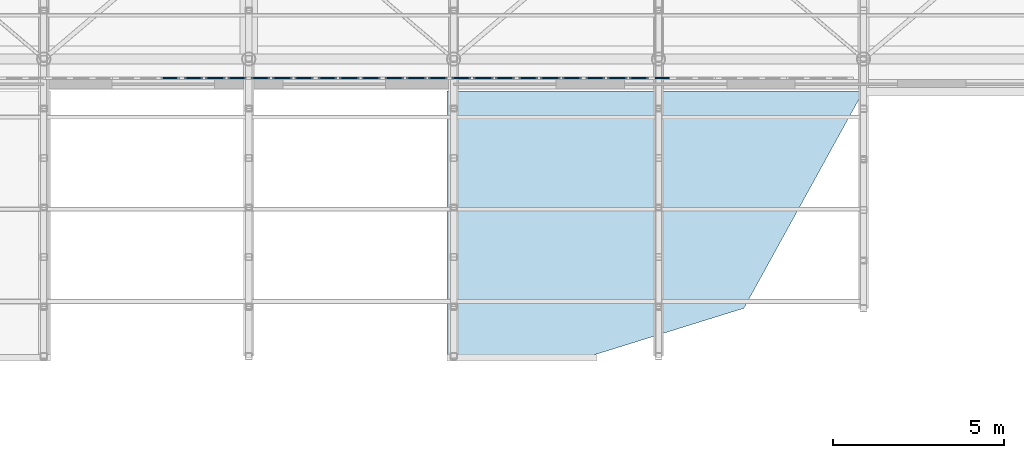
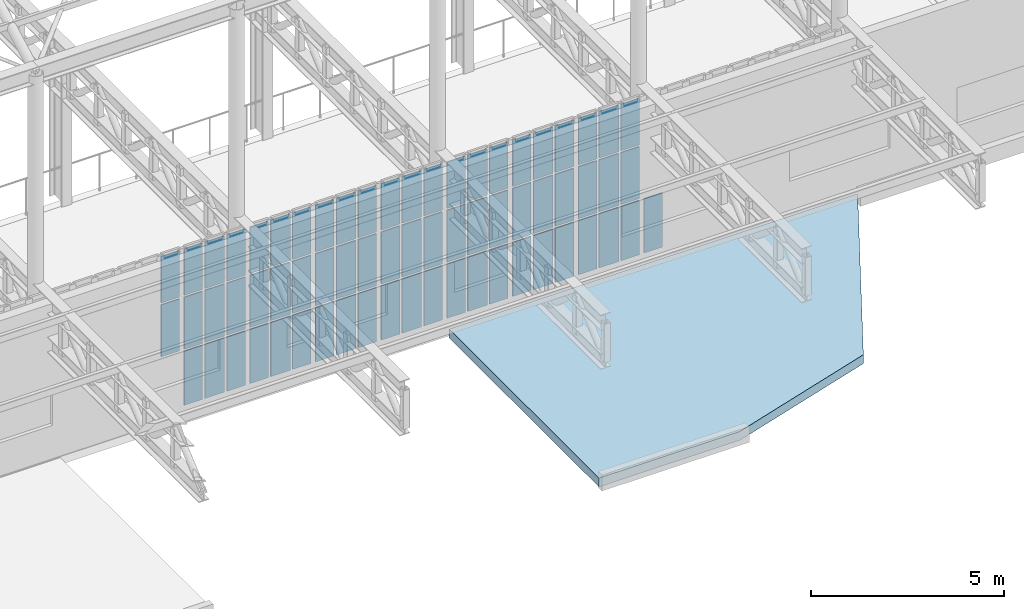
# One storey, part 55 of 75: 66 plates, 1 slab, 9 elements without a shape of their own.
"""IFC4 building model written with IfcOpenShell, lengths in metres."""

from ifc_helpers import new_model, si_unit, direction, frame, origin, origin_2d, place, context, subcontext, project, spatial, polyline, rectangle, outline, extrude, material, layer, layer_set, type_object, element, aggregate, save


model = new_model("IFC4")

# Units and contexts
model_context = context("Model", 3, precision=1e-05, world=origin(), true_north=direction((0.0, 1.0)))
body_context = subcontext(model_context, "Body", "Model", "MODEL_VIEW")
ifc_project = project(units=[si_unit("LENGTHUNIT", "METRE"), si_unit("AREAUNIT", "SQUARE_METRE"), si_unit("VOLUMEUNIT", "CUBIC_METRE"), si_unit("PLANEANGLEUNIT", "RADIAN"), si_unit("MASSUNIT", "GRAM", prefix="KILO")], contexts=[model_context])

# Site, building, storey
site_placement = place(None, origin())
site = spatial("IfcSite", under=ifc_project, at=site_placement, CompositionType="ELEMENT")
building_placement = place(site_placement, origin())
building = spatial("IfcBuilding", under=site, at=building_placement, Name="Kolvaren Corner Interchange", CompositionType="ELEMENT")
storey_placement = place(building_placement, frame((0.0, 0.0, 10.5)))
storey = spatial("IfcBuildingStorey", under=building, at=storey_placement, Name="L03", CompositionType="ELEMENT", Elevation=10.5)

# Curtain wall, plates
ifc_material_1 = material(Name="Unitised Aluminium and Solar-Control Glass Curtain Wall", Category="aluminium")
curtain_wall_type = type_object("IfcCurtainWallType", Name="CW-V1-UPPER", PredefinedType="NOTDEFINED", material=ifc_material_1)
curtain_wall_1_placement = place(storey_placement, origin())
curtain_wall_1 = element("IfcCurtainWall", 1, at=curtain_wall_1_placement, inside=storey, type_object=curtain_wall_type, Name="South Portal Upper Curtain Wall Bay 08", PredefinedType="NOTDEFINED")
ifc_material_2 = material(Name="Low-E Solar-Control Laminated Glass", Category="glass")
ifc_layer_1 = layer(ifc_material_2, 0.035888671875)
ifc_layer_set_1 = layer_set([ifc_layer_1], Name="Low-E Solar-Control Laminated Glass")
plate_type = type_object("IfcPlateType", Name="PLT-CW-GL32", PredefinedType="CURTAIN_PANEL", material=ifc_layer_set_1)
plate_1_placement = place(storey_placement, frame((87.694580078125, 24.340087890625, 1.830078125), z_axis=(0.0, 0.0, 1.0), x_axis=(1.0, 0.0, 0.0)))
plate_1 = element("IfcPlate", 2, at=plate_1_placement, type_object=plate_type, Name="CW-044 panel 3.2", PredefinedType="CURTAIN_PANEL", context=body_context, shape_type="SweptSolid", body=[
    extrude(rectangle(XDim=0.548583984375, YDim=0.035888671875, at=origin_2d()), origin(), (0.0, 0.0, 1.0), 1.639892578125),
])
plate_2_placement = place(storey_placement, frame((87.694580078125, 24.340087890625, 3.530029296875), z_axis=(0.0, 0.0, 1.0), x_axis=(1.0, 0.0, 0.0)))
plate_2 = element("IfcPlate", 3, at=plate_2_placement, type_object=plate_type, Name="CW-044 panel 3.3", PredefinedType="CURTAIN_PANEL", context=body_context, shape_type="SweptSolid", body=[
    extrude(rectangle(XDim=0.548583984375, YDim=0.035888671875, at=origin_2d()), origin(), (0.0, 0.0, 1.0), 1.4599609375),
])
aggregate(curtain_wall_1, [plate_1, plate_2])

curtain_wall_2_placement = place(storey_placement, origin())
curtain_wall_2 = element("IfcCurtainWall", 4, at=curtain_wall_2_placement, inside=storey, type_object=curtain_wall_type, Name="South Portal Upper Curtain Wall Bay 09", PredefinedType="NOTDEFINED")
plate_3_placement = place(storey_placement, frame((88.38330078125, 24.340087890625, 0.06005859375), z_axis=(0.0, 0.0, 1.0), x_axis=(1.0, 0.0, 0.0)))
plate_3 = element("IfcPlate", 5, at=plate_3_placement, type_object=plate_type, Name="CW-045 panel 1.1", PredefinedType="CURTAIN_PANEL", context=body_context, shape_type="SweptSolid", body=[
    extrude(rectangle(XDim=0.548583984375, YDim=0.035888671875, at=origin_2d()), origin(), (0.0, 0.0, 1.0), 1.7099609375),
])
plate_4_placement = place(storey_placement, frame((88.38330078125, 24.340087890625, 1.830078125), z_axis=(0.0, 0.0, 1.0), x_axis=(1.0, 0.0, 0.0)))
plate_4 = element("IfcPlate", 6, at=plate_4_placement, type_object=plate_type, Name="CW-045 panel 1.2", PredefinedType="CURTAIN_PANEL", context=body_context, shape_type="SweptSolid", body=[
    extrude(rectangle(XDim=0.548583984375, YDim=0.035888671875, at=origin_2d()), origin(), (0.0, 0.0, 1.0), 1.639892578125),
])
plate_5_placement = place(storey_placement, frame((88.38330078125, 24.340087890625, 3.530029296875), z_axis=(0.0, 0.0, 1.0), x_axis=(1.0, 0.0, 0.0)))
plate_5 = element("IfcPlate", 7, at=plate_5_placement, type_object=plate_type, Name="CW-045 panel 1.3", PredefinedType="CURTAIN_PANEL", context=body_context, shape_type="SweptSolid", body=[
    extrude(rectangle(XDim=0.548583984375, YDim=0.035888671875, at=origin_2d()), origin(), (0.0, 0.0, 1.0), 1.4599609375),
])
plate_6_placement = place(storey_placement, frame((89.01953125, 24.340087890625, 0.06005859375), z_axis=(0.0, 0.0, 1.0), x_axis=(1.0, 0.0, 0.0)))
plate_6 = element("IfcPlate", 8, at=plate_6_placement, type_object=plate_type, Name="CW-045 panel 2.1", PredefinedType="CURTAIN_PANEL", context=body_context, shape_type="SweptSolid", body=[
    extrude(rectangle(XDim=0.583740234375, YDim=0.035888671875, at=origin_2d()), origin(), (0.0, 0.0, 1.0), 1.7099609375),
])
plate_7_placement = place(storey_placement, frame((89.01953125, 24.340087890625, 1.830078125), z_axis=(0.0, 0.0, 1.0), x_axis=(1.0, 0.0, 0.0)))
plate_7 = element("IfcPlate", 9, at=plate_7_placement, type_object=plate_type, Name="CW-045 panel 2.2", PredefinedType="CURTAIN_PANEL", context=body_context, shape_type="SweptSolid", body=[
    extrude(rectangle(XDim=0.583740234375, YDim=0.035888671875, at=origin_2d()), origin(), (0.0, 0.0, 1.0), 1.639892578125),
])
plate_8_placement = place(storey_placement, frame((89.01953125, 24.340087890625, 3.530029296875), z_axis=(0.0, 0.0, 1.0), x_axis=(1.0, 0.0, 0.0)))
plate_8 = element("IfcPlate", 10, at=plate_8_placement, type_object=plate_type, Name="CW-045 panel 2.3", PredefinedType="CURTAIN_PANEL", context=body_context, shape_type="SweptSolid", body=[
    extrude(rectangle(XDim=0.583740234375, YDim=0.035888671875, at=origin_2d()), origin(), (0.0, 0.0, 1.0), 1.4599609375),
])
plate_9_placement = place(storey_placement, frame((89.65576171875, 24.340087890625, 0.06005859375), z_axis=(0.0, 0.0, 1.0), x_axis=(1.0, 0.0, 0.0)))
plate_9 = element("IfcPlate", 11, at=plate_9_placement, type_object=plate_type, Name="CW-045 panel 3.1", PredefinedType="CURTAIN_PANEL", context=body_context, shape_type="SweptSolid", body=[
    extrude(rectangle(XDim=0.548583984375, YDim=0.035888671875, at=origin_2d()), origin(), (0.0, 0.0, 1.0), 1.7099609375),
])
plate_10_placement = place(storey_placement, frame((89.65576171875, 24.340087890625, 1.830078125), z_axis=(0.0, 0.0, 1.0), x_axis=(1.0, 0.0, 0.0)))
plate_10 = element("IfcPlate", 12, at=plate_10_placement, type_object=plate_type, Name="CW-045 panel 3.2", PredefinedType="CURTAIN_PANEL", context=body_context, shape_type="SweptSolid", body=[
    extrude(rectangle(XDim=0.548583984375, YDim=0.035888671875, at=origin_2d()), origin(), (0.0, 0.0, 1.0), 1.639892578125),
])
plate_11_placement = place(storey_placement, frame((89.65576171875, 24.340087890625, 3.530029296875), z_axis=(0.0, 0.0, 1.0), x_axis=(1.0, 0.0, 0.0)))
plate_11 = element("IfcPlate", 13, at=plate_11_placement, type_object=plate_type, Name="CW-045 panel 3.3", PredefinedType="CURTAIN_PANEL", context=body_context, shape_type="SweptSolid", body=[
    extrude(rectangle(XDim=0.548583984375, YDim=0.035888671875, at=origin_2d()), origin(), (0.0, 0.0, 1.0), 1.4599609375),
])
aggregate(curtain_wall_2, [plate_3, plate_4, plate_5, plate_6, plate_7, plate_8, plate_9, plate_10, plate_11])

curtain_wall_3_placement = place(storey_placement, origin())
curtain_wall_3 = element("IfcCurtainWall", 14, at=curtain_wall_3_placement, inside=storey, type_object=curtain_wall_type, Name="South Portal Upper Curtain Wall Bay 10", PredefinedType="NOTDEFINED")
plate_12_placement = place(storey_placement, frame((90.34423828125, 24.340087890625, 0.06005859375), z_axis=(0.0, 0.0, 1.0), x_axis=(1.0, 0.0, 0.0)))
plate_12 = element("IfcPlate", 15, at=plate_12_placement, type_object=plate_type, Name="CW-046 panel 1.1", PredefinedType="CURTAIN_PANEL", context=body_context, shape_type="SweptSolid", body=[
    extrude(rectangle(XDim=0.548583984375, YDim=0.035888671875, at=origin_2d()), origin(), (0.0, 0.0, 1.0), 1.7099609375),
])
plate_13_placement = place(storey_placement, frame((90.34423828125, 24.340087890625, 1.830078125), z_axis=(0.0, 0.0, 1.0), x_axis=(1.0, 0.0, 0.0)))
plate_13 = element("IfcPlate", 16, at=plate_13_placement, type_object=plate_type, Name="CW-046 panel 1.2", PredefinedType="CURTAIN_PANEL", context=body_context, shape_type="SweptSolid", body=[
    extrude(rectangle(XDim=0.548583984375, YDim=0.035888671875, at=origin_2d()), origin(), (0.0, 0.0, 1.0), 1.639892578125),
])
plate_14_placement = place(storey_placement, frame((90.34423828125, 24.340087890625, 3.530029296875), z_axis=(0.0, 0.0, 1.0), x_axis=(1.0, 0.0, 0.0)))
plate_14 = element("IfcPlate", 17, at=plate_14_placement, type_object=plate_type, Name="CW-046 panel 1.3", PredefinedType="CURTAIN_PANEL", context=body_context, shape_type="SweptSolid", body=[
    extrude(rectangle(XDim=0.548583984375, YDim=0.035888671875, at=origin_2d()), origin(), (0.0, 0.0, 1.0), 1.4599609375),
])
plate_15_placement = place(storey_placement, frame((90.98046875, 24.340087890625, 0.06005859375), z_axis=(0.0, 0.0, 1.0), x_axis=(1.0, 0.0, 0.0)))
plate_15 = element("IfcPlate", 18, at=plate_15_placement, type_object=plate_type, Name="CW-046 panel 2.1", PredefinedType="CURTAIN_PANEL", context=body_context, shape_type="SweptSolid", body=[
    extrude(rectangle(XDim=0.583740234375, YDim=0.035888671875, at=origin_2d()), origin(), (0.0, 0.0, 1.0), 1.7099609375),
])
plate_16_placement = place(storey_placement, frame((90.98046875, 24.340087890625, 1.830078125), z_axis=(0.0, 0.0, 1.0), x_axis=(1.0, 0.0, 0.0)))
plate_16 = element("IfcPlate", 19, at=plate_16_placement, type_object=plate_type, Name="CW-046 panel 2.2", PredefinedType="CURTAIN_PANEL", context=body_context, shape_type="SweptSolid", body=[
    extrude(rectangle(XDim=0.583740234375, YDim=0.035888671875, at=origin_2d()), origin(), (0.0, 0.0, 1.0), 1.639892578125),
])
plate_17_placement = place(storey_placement, frame((90.98046875, 24.340087890625, 3.530029296875), z_axis=(0.0, 0.0, 1.0), x_axis=(1.0, 0.0, 0.0)))
plate_17 = element("IfcPlate", 20, at=plate_17_placement, type_object=plate_type, Name="CW-046 panel 2.3", PredefinedType="CURTAIN_PANEL", context=body_context, shape_type="SweptSolid", body=[
    extrude(rectangle(XDim=0.583740234375, YDim=0.035888671875, at=origin_2d()), origin(), (0.0, 0.0, 1.0), 1.4599609375),
])
plate_18_placement = place(storey_placement, frame((91.61669921875, 24.340087890625, 0.06005859375), z_axis=(0.0, 0.0, 1.0), x_axis=(1.0, 0.0, 0.0)))
plate_18 = element("IfcPlate", 21, at=plate_18_placement, type_object=plate_type, Name="CW-046 panel 3.1", PredefinedType="CURTAIN_PANEL", context=body_context, shape_type="SweptSolid", body=[
    extrude(rectangle(XDim=0.548583984375, YDim=0.035888671875, at=origin_2d()), origin(), (0.0, 0.0, 1.0), 1.7099609375),
])
plate_19_placement = place(storey_placement, frame((91.61669921875, 24.340087890625, 1.830078125), z_axis=(0.0, 0.0, 1.0), x_axis=(1.0, 0.0, 0.0)))
plate_19 = element("IfcPlate", 22, at=plate_19_placement, type_object=plate_type, Name="CW-046 panel 3.2", PredefinedType="CURTAIN_PANEL", context=body_context, shape_type="SweptSolid", body=[
    extrude(rectangle(XDim=0.548583984375, YDim=0.035888671875, at=origin_2d()), origin(), (0.0, 0.0, 1.0), 1.639892578125),
])
plate_20_placement = place(storey_placement, frame((91.61669921875, 24.340087890625, 3.530029296875), z_axis=(0.0, 0.0, 1.0), x_axis=(1.0, 0.0, 0.0)))
plate_20 = element("IfcPlate", 23, at=plate_20_placement, type_object=plate_type, Name="CW-046 panel 3.3", PredefinedType="CURTAIN_PANEL", context=body_context, shape_type="SweptSolid", body=[
    extrude(rectangle(XDim=0.548583984375, YDim=0.035888671875, at=origin_2d()), origin(), (0.0, 0.0, 1.0), 1.4599609375),
])
aggregate(curtain_wall_3, [plate_12, plate_13, plate_14, plate_15, plate_16, plate_17, plate_18, plate_19, plate_20])

curtain_wall_4_placement = place(storey_placement, origin())
curtain_wall_4 = element("IfcCurtainWall", 24, at=curtain_wall_4_placement, inside=storey, type_object=curtain_wall_type, Name="South Portal Upper Curtain Wall Bay 11", PredefinedType="NOTDEFINED")
plate_21_placement = place(storey_placement, frame((92.305419921875, 24.340087890625, 0.06005859375), z_axis=(0.0, 0.0, 1.0), x_axis=(1.0, 0.0, 0.0)))
plate_21 = element("IfcPlate", 25, at=plate_21_placement, type_object=plate_type, Name="CW-047 panel 1.1", PredefinedType="CURTAIN_PANEL", context=body_context, shape_type="SweptSolid", body=[
    extrude(rectangle(XDim=0.548583984375, YDim=0.035888671875, at=origin_2d()), origin(), (0.0, 0.0, 1.0), 1.7099609375),
])
plate_22_placement = place(storey_placement, frame((92.305419921875, 24.340087890625, 1.830078125), z_axis=(0.0, 0.0, 1.0), x_axis=(1.0, 0.0, 0.0)))
plate_22 = element("IfcPlate", 26, at=plate_22_placement, type_object=plate_type, Name="CW-047 panel 1.2", PredefinedType="CURTAIN_PANEL", context=body_context, shape_type="SweptSolid", body=[
    extrude(rectangle(XDim=0.548583984375, YDim=0.035888671875, at=origin_2d()), origin(), (0.0, 0.0, 1.0), 1.639892578125),
])
plate_23_placement = place(storey_placement, frame((92.305419921875, 24.340087890625, 3.530029296875), z_axis=(0.0, 0.0, 1.0), x_axis=(1.0, 0.0, 0.0)))
plate_23 = element("IfcPlate", 27, at=plate_23_placement, type_object=plate_type, Name="CW-047 panel 1.3", PredefinedType="CURTAIN_PANEL", context=body_context, shape_type="SweptSolid", body=[
    extrude(rectangle(XDim=0.548583984375, YDim=0.035888671875, at=origin_2d()), origin(), (0.0, 0.0, 1.0), 1.4599609375),
])
plate_24_placement = place(storey_placement, frame((92.941650390625, 24.340087890625, 0.06005859375), z_axis=(0.0, 0.0, 1.0), x_axis=(1.0, 0.0, 0.0)))
plate_24 = element("IfcPlate", 28, at=plate_24_placement, type_object=plate_type, Name="CW-047 panel 2.1", PredefinedType="CURTAIN_PANEL", context=body_context, shape_type="SweptSolid", body=[
    extrude(rectangle(XDim=0.583740234375, YDim=0.035888671875, at=origin_2d()), origin(), (0.0, 0.0, 1.0), 1.7099609375),
])
plate_25_placement = place(storey_placement, frame((92.941650390625, 24.340087890625, 1.830078125), z_axis=(0.0, 0.0, 1.0), x_axis=(1.0, 0.0, 0.0)))
plate_25 = element("IfcPlate", 29, at=plate_25_placement, type_object=plate_type, Name="CW-047 panel 2.2", PredefinedType="CURTAIN_PANEL", context=body_context, shape_type="SweptSolid", body=[
    extrude(rectangle(XDim=0.583740234375, YDim=0.035888671875, at=origin_2d()), origin(), (0.0, 0.0, 1.0), 1.639892578125),
])
plate_26_placement = place(storey_placement, frame((92.941650390625, 24.340087890625, 3.530029296875), z_axis=(0.0, 0.0, 1.0), x_axis=(1.0, 0.0, 0.0)))
plate_26 = element("IfcPlate", 30, at=plate_26_placement, type_object=plate_type, Name="CW-047 panel 2.3", PredefinedType="CURTAIN_PANEL", context=body_context, shape_type="SweptSolid", body=[
    extrude(rectangle(XDim=0.583740234375, YDim=0.035888671875, at=origin_2d()), origin(), (0.0, 0.0, 1.0), 1.4599609375),
])
plate_27_placement = place(storey_placement, frame((93.577880859375, 24.340087890625, 0.06005859375), z_axis=(0.0, 0.0, 1.0), x_axis=(1.0, 0.0, 0.0)))
plate_27 = element("IfcPlate", 31, at=plate_27_placement, type_object=plate_type, Name="CW-047 panel 3.1", PredefinedType="CURTAIN_PANEL", context=body_context, shape_type="SweptSolid", body=[
    extrude(rectangle(XDim=0.548583984375, YDim=0.035888671875, at=origin_2d()), origin(), (0.0, 0.0, 1.0), 1.7099609375),
])
plate_28_placement = place(storey_placement, frame((93.577880859375, 24.340087890625, 1.830078125), z_axis=(0.0, 0.0, 1.0), x_axis=(1.0, 0.0, 0.0)))
plate_28 = element("IfcPlate", 32, at=plate_28_placement, type_object=plate_type, Name="CW-047 panel 3.2", PredefinedType="CURTAIN_PANEL", context=body_context, shape_type="SweptSolid", body=[
    extrude(rectangle(XDim=0.548583984375, YDim=0.035888671875, at=origin_2d()), origin(), (0.0, 0.0, 1.0), 1.639892578125),
])
plate_29_placement = place(storey_placement, frame((93.577880859375, 24.340087890625, 3.530029296875), z_axis=(0.0, 0.0, 1.0), x_axis=(1.0, 0.0, 0.0)))
plate_29 = element("IfcPlate", 33, at=plate_29_placement, type_object=plate_type, Name="CW-047 panel 3.3", PredefinedType="CURTAIN_PANEL", context=body_context, shape_type="SweptSolid", body=[
    extrude(rectangle(XDim=0.548583984375, YDim=0.035888671875, at=origin_2d()), origin(), (0.0, 0.0, 1.0), 1.4599609375),
])
aggregate(curtain_wall_4, [plate_21, plate_22, plate_23, plate_24, plate_25, plate_26, plate_27, plate_28, plate_29])

curtain_wall_5_placement = place(storey_placement, origin())
curtain_wall_5 = element("IfcCurtainWall", 34, at=curtain_wall_5_placement, inside=storey, type_object=curtain_wall_type, Name="South Portal Upper Curtain Wall Bay 12", PredefinedType="NOTDEFINED")
plate_30_placement = place(storey_placement, frame((94.2666015625, 24.340087890625, 0.06005859375), z_axis=(0.0, 0.0, 1.0), x_axis=(1.0, 0.0, 0.0)))
plate_30 = element("IfcPlate", 35, at=plate_30_placement, type_object=plate_type, Name="CW-048 panel 1.1", PredefinedType="CURTAIN_PANEL", context=body_context, shape_type="SweptSolid", body=[
    extrude(rectangle(XDim=0.548583984375, YDim=0.035888671875, at=origin_2d()), origin(), (0.0, 0.0, 1.0), 1.7099609375),
])
plate_31_placement = place(storey_placement, frame((94.2666015625, 24.340087890625, 1.830078125), z_axis=(0.0, 0.0, 1.0), x_axis=(1.0, 0.0, 0.0)))
plate_31 = element("IfcPlate", 36, at=plate_31_placement, type_object=plate_type, Name="CW-048 panel 1.2", PredefinedType="CURTAIN_PANEL", context=body_context, shape_type="SweptSolid", body=[
    extrude(rectangle(XDim=0.548583984375, YDim=0.035888671875, at=origin_2d()), origin(), (0.0, 0.0, 1.0), 1.639892578125),
])
plate_32_placement = place(storey_placement, frame((94.2666015625, 24.340087890625, 3.530029296875), z_axis=(0.0, 0.0, 1.0), x_axis=(1.0, 0.0, 0.0)))
plate_32 = element("IfcPlate", 37, at=plate_32_placement, type_object=plate_type, Name="CW-048 panel 1.3", PredefinedType="CURTAIN_PANEL", context=body_context, shape_type="SweptSolid", body=[
    extrude(rectangle(XDim=0.548583984375, YDim=0.035888671875, at=origin_2d()), origin(), (0.0, 0.0, 1.0), 1.4599609375),
])
plate_33_placement = place(storey_placement, frame((94.90283203125, 24.340087890625, 0.06005859375), z_axis=(0.0, 0.0, 1.0), x_axis=(1.0, 0.0, 0.0)))
plate_33 = element("IfcPlate", 38, at=plate_33_placement, type_object=plate_type, Name="CW-048 panel 2.1", PredefinedType="CURTAIN_PANEL", context=body_context, shape_type="SweptSolid", body=[
    extrude(rectangle(XDim=0.583740234375, YDim=0.035888671875, at=origin_2d()), origin(), (0.0, 0.0, 1.0), 1.7099609375),
])
plate_34_placement = place(storey_placement, frame((94.90283203125, 24.340087890625, 1.830078125), z_axis=(0.0, 0.0, 1.0), x_axis=(1.0, 0.0, 0.0)))
plate_34 = element("IfcPlate", 39, at=plate_34_placement, type_object=plate_type, Name="CW-048 panel 2.2", PredefinedType="CURTAIN_PANEL", context=body_context, shape_type="SweptSolid", body=[
    extrude(rectangle(XDim=0.583740234375, YDim=0.035888671875, at=origin_2d()), origin(), (0.0, 0.0, 1.0), 1.639892578125),
])
plate_35_placement = place(storey_placement, frame((94.90283203125, 24.340087890625, 3.530029296875), z_axis=(0.0, 0.0, 1.0), x_axis=(1.0, 0.0, 0.0)))
plate_35 = element("IfcPlate", 40, at=plate_35_placement, type_object=plate_type, Name="CW-048 panel 2.3", PredefinedType="CURTAIN_PANEL", context=body_context, shape_type="SweptSolid", body=[
    extrude(rectangle(XDim=0.583740234375, YDim=0.035888671875, at=origin_2d()), origin(), (0.0, 0.0, 1.0), 1.4599609375),
])
plate_36_placement = place(storey_placement, frame((95.5390625, 24.340087890625, 0.06005859375), z_axis=(0.0, 0.0, 1.0), x_axis=(1.0, 0.0, 0.0)))
plate_36 = element("IfcPlate", 41, at=plate_36_placement, type_object=plate_type, Name="CW-048 panel 3.1", PredefinedType="CURTAIN_PANEL", context=body_context, shape_type="SweptSolid", body=[
    extrude(rectangle(XDim=0.548583984375, YDim=0.035888671875, at=origin_2d()), origin(), (0.0, 0.0, 1.0), 1.7099609375),
])
plate_37_placement = place(storey_placement, frame((95.5390625, 24.340087890625, 1.830078125), z_axis=(0.0, 0.0, 1.0), x_axis=(1.0, 0.0, 0.0)))
plate_37 = element("IfcPlate", 42, at=plate_37_placement, type_object=plate_type, Name="CW-048 panel 3.2", PredefinedType="CURTAIN_PANEL", context=body_context, shape_type="SweptSolid", body=[
    extrude(rectangle(XDim=0.548583984375, YDim=0.035888671875, at=origin_2d()), origin(), (0.0, 0.0, 1.0), 1.639892578125),
])
plate_38_placement = place(storey_placement, frame((95.5390625, 24.340087890625, 3.530029296875), z_axis=(0.0, 0.0, 1.0), x_axis=(1.0, 0.0, 0.0)))
plate_38 = element("IfcPlate", 43, at=plate_38_placement, type_object=plate_type, Name="CW-048 panel 3.3", PredefinedType="CURTAIN_PANEL", context=body_context, shape_type="SweptSolid", body=[
    extrude(rectangle(XDim=0.548583984375, YDim=0.035888671875, at=origin_2d()), origin(), (0.0, 0.0, 1.0), 1.4599609375),
])
aggregate(curtain_wall_5, [plate_30, plate_31, plate_32, plate_33, plate_34, plate_35, plate_36, plate_37, plate_38])

curtain_wall_6_placement = place(storey_placement, origin())
curtain_wall_6 = element("IfcCurtainWall", 44, at=curtain_wall_6_placement, inside=storey, type_object=curtain_wall_type, Name="South Portal Upper Curtain Wall Bay 13", PredefinedType="NOTDEFINED")
plate_39_placement = place(storey_placement, frame((96.2275390625, 24.340087890625, 0.06005859375), z_axis=(0.0, 0.0, 1.0), x_axis=(1.0, 0.0, 0.0)))
plate_39 = element("IfcPlate", 45, at=plate_39_placement, type_object=plate_type, Name="CW-049 panel 1.1", PredefinedType="CURTAIN_PANEL", context=body_context, shape_type="SweptSolid", body=[
    extrude(rectangle(XDim=0.548583984375, YDim=0.035888671875, at=origin_2d()), origin(), (0.0, 0.0, 1.0), 1.7099609375),
])
plate_40_placement = place(storey_placement, frame((96.2275390625, 24.340087890625, 1.830078125), z_axis=(0.0, 0.0, 1.0), x_axis=(1.0, 0.0, 0.0)))
plate_40 = element("IfcPlate", 46, at=plate_40_placement, type_object=plate_type, Name="CW-049 panel 1.2", PredefinedType="CURTAIN_PANEL", context=body_context, shape_type="SweptSolid", body=[
    extrude(rectangle(XDim=0.548583984375, YDim=0.035888671875, at=origin_2d()), origin(), (0.0, 0.0, 1.0), 1.639892578125),
])
plate_41_placement = place(storey_placement, frame((96.2275390625, 24.340087890625, 3.530029296875), z_axis=(0.0, 0.0, 1.0), x_axis=(1.0, 0.0, 0.0)))
plate_41 = element("IfcPlate", 47, at=plate_41_placement, type_object=plate_type, Name="CW-049 panel 1.3", PredefinedType="CURTAIN_PANEL", context=body_context, shape_type="SweptSolid", body=[
    extrude(rectangle(XDim=0.548583984375, YDim=0.035888671875, at=origin_2d()), origin(), (0.0, 0.0, 1.0), 1.4599609375),
])
plate_42_placement = place(storey_placement, frame((96.86376953125, 24.340087890625, 0.06005859375), z_axis=(0.0, 0.0, 1.0), x_axis=(1.0, 0.0, 0.0)))
plate_42 = element("IfcPlate", 48, at=plate_42_placement, type_object=plate_type, Name="CW-049 panel 2.1", PredefinedType="CURTAIN_PANEL", context=body_context, shape_type="SweptSolid", body=[
    extrude(rectangle(XDim=0.583740234375, YDim=0.035888671875, at=origin_2d()), origin(), (0.0, 0.0, 1.0), 1.7099609375),
])
plate_43_placement = place(storey_placement, frame((96.86376953125, 24.340087890625, 1.830078125), z_axis=(0.0, 0.0, 1.0), x_axis=(1.0, 0.0, 0.0)))
plate_43 = element("IfcPlate", 49, at=plate_43_placement, type_object=plate_type, Name="CW-049 panel 2.2", PredefinedType="CURTAIN_PANEL", context=body_context, shape_type="SweptSolid", body=[
    extrude(rectangle(XDim=0.583740234375, YDim=0.035888671875, at=origin_2d()), origin(), (0.0, 0.0, 1.0), 1.639892578125),
])
plate_44_placement = place(storey_placement, frame((96.86376953125, 24.340087890625, 3.530029296875), z_axis=(0.0, 0.0, 1.0), x_axis=(1.0, 0.0, 0.0)))
plate_44 = element("IfcPlate", 50, at=plate_44_placement, type_object=plate_type, Name="CW-049 panel 2.3", PredefinedType="CURTAIN_PANEL", context=body_context, shape_type="SweptSolid", body=[
    extrude(rectangle(XDim=0.583740234375, YDim=0.035888671875, at=origin_2d()), origin(), (0.0, 0.0, 1.0), 1.4599609375),
])
plate_45_placement = place(storey_placement, frame((97.5, 24.340087890625, 0.06005859375), z_axis=(0.0, 0.0, 1.0), x_axis=(1.0, 0.0, 0.0)))
plate_45 = element("IfcPlate", 51, at=plate_45_placement, type_object=plate_type, Name="CW-049 panel 3.1", PredefinedType="CURTAIN_PANEL", context=body_context, shape_type="SweptSolid", body=[
    extrude(rectangle(XDim=0.548583984375, YDim=0.035888671875, at=origin_2d()), origin(), (0.0, 0.0, 1.0), 1.7099609375),
])
plate_46_placement = place(storey_placement, frame((97.5, 24.340087890625, 1.830078125), z_axis=(0.0, 0.0, 1.0), x_axis=(1.0, 0.0, 0.0)))
plate_46 = element("IfcPlate", 52, at=plate_46_placement, type_object=plate_type, Name="CW-049 panel 3.2", PredefinedType="CURTAIN_PANEL", context=body_context, shape_type="SweptSolid", body=[
    extrude(rectangle(XDim=0.548583984375, YDim=0.035888671875, at=origin_2d()), origin(), (0.0, 0.0, 1.0), 1.639892578125),
])
plate_47_placement = place(storey_placement, frame((97.5, 24.340087890625, 3.530029296875), z_axis=(0.0, 0.0, 1.0), x_axis=(1.0, 0.0, 0.0)))
plate_47 = element("IfcPlate", 53, at=plate_47_placement, type_object=plate_type, Name="CW-049 panel 3.3", PredefinedType="CURTAIN_PANEL", context=body_context, shape_type="SweptSolid", body=[
    extrude(rectangle(XDim=0.548583984375, YDim=0.035888671875, at=origin_2d()), origin(), (0.0, 0.0, 1.0), 1.4599609375),
])
aggregate(curtain_wall_6, [plate_39, plate_40, plate_41, plate_42, plate_43, plate_44, plate_45, plate_46, plate_47])

curtain_wall_7_placement = place(storey_placement, origin())
curtain_wall_7 = element("IfcCurtainWall", 54, at=curtain_wall_7_placement, inside=storey, type_object=curtain_wall_type, Name="South Portal Upper Curtain Wall Bay 14", PredefinedType="NOTDEFINED")
plate_48_placement = place(storey_placement, frame((98.188720703125, 24.340087890625, 0.06005859375), z_axis=(0.0, 0.0, 1.0), x_axis=(1.0, 0.0, 0.0)))
plate_48 = element("IfcPlate", 55, at=plate_48_placement, type_object=plate_type, Name="CW-050 panel 1.1", PredefinedType="CURTAIN_PANEL", context=body_context, shape_type="SweptSolid", body=[
    extrude(rectangle(XDim=0.548828125, YDim=0.035888671875, at=origin_2d()), origin(), (0.0, 0.0, 1.0), 1.7099609375),
])
plate_49_placement = place(storey_placement, frame((98.188720703125, 24.340087890625, 1.830078125), z_axis=(0.0, 0.0, 1.0), x_axis=(1.0, 0.0, 0.0)))
plate_49 = element("IfcPlate", 56, at=plate_49_placement, type_object=plate_type, Name="CW-050 panel 1.2", PredefinedType="CURTAIN_PANEL", context=body_context, shape_type="SweptSolid", body=[
    extrude(rectangle(XDim=0.548828125, YDim=0.035888671875, at=origin_2d()), origin(), (0.0, 0.0, 1.0), 1.639892578125),
])
plate_50_placement = place(storey_placement, frame((98.188720703125, 24.340087890625, 3.530029296875), z_axis=(0.0, 0.0, 1.0), x_axis=(1.0, 0.0, 0.0)))
plate_50 = element("IfcPlate", 57, at=plate_50_placement, type_object=plate_type, Name="CW-050 panel 1.3", PredefinedType="CURTAIN_PANEL", context=body_context, shape_type="SweptSolid", body=[
    extrude(rectangle(XDim=0.548828125, YDim=0.035888671875, at=origin_2d()), origin(), (0.0, 0.0, 1.0), 1.4599609375),
])
plate_51_placement = place(storey_placement, frame((98.824951171875, 24.340087890625, 0.06005859375), z_axis=(0.0, 0.0, 1.0), x_axis=(1.0, 0.0, 0.0)))
plate_51 = element("IfcPlate", 58, at=plate_51_placement, type_object=plate_type, Name="CW-050 panel 2.1", PredefinedType="CURTAIN_PANEL", context=body_context, shape_type="SweptSolid", body=[
    extrude(rectangle(XDim=0.583740234375, YDim=0.035888671875, at=origin_2d()), origin(), (0.0, 0.0, 1.0), 1.7099609375),
])
plate_52_placement = place(storey_placement, frame((98.824951171875, 24.340087890625, 1.830078125), z_axis=(0.0, 0.0, 1.0), x_axis=(1.0, 0.0, 0.0)))
plate_52 = element("IfcPlate", 59, at=plate_52_placement, type_object=plate_type, Name="CW-050 panel 2.2", PredefinedType="CURTAIN_PANEL", context=body_context, shape_type="SweptSolid", body=[
    extrude(rectangle(XDim=0.583740234375, YDim=0.035888671875, at=origin_2d()), origin(), (0.0, 0.0, 1.0), 1.639892578125),
])
plate_53_placement = place(storey_placement, frame((98.824951171875, 24.340087890625, 3.530029296875), z_axis=(0.0, 0.0, 1.0), x_axis=(1.0, 0.0, 0.0)))
plate_53 = element("IfcPlate", 60, at=plate_53_placement, type_object=plate_type, Name="CW-050 panel 2.3", PredefinedType="CURTAIN_PANEL", context=body_context, shape_type="SweptSolid", body=[
    extrude(rectangle(XDim=0.583740234375, YDim=0.035888671875, at=origin_2d()), origin(), (0.0, 0.0, 1.0), 1.4599609375),
])
plate_54_placement = place(storey_placement, frame((99.461181640625, 24.340087890625, 0.06005859375), z_axis=(0.0, 0.0, 1.0), x_axis=(1.0, 0.0, 0.0)))
plate_54 = element("IfcPlate", 61, at=plate_54_placement, type_object=plate_type, Name="CW-050 panel 3.1", PredefinedType="CURTAIN_PANEL", context=body_context, shape_type="SweptSolid", body=[
    extrude(rectangle(XDim=0.548828125, YDim=0.035888671875, at=origin_2d()), origin(), (0.0, 0.0, 1.0), 1.7099609375),
])
plate_55_placement = place(storey_placement, frame((99.461181640625, 24.340087890625, 1.830078125), z_axis=(0.0, 0.0, 1.0), x_axis=(1.0, 0.0, 0.0)))
plate_55 = element("IfcPlate", 62, at=plate_55_placement, type_object=plate_type, Name="CW-050 panel 3.2", PredefinedType="CURTAIN_PANEL", context=body_context, shape_type="SweptSolid", body=[
    extrude(rectangle(XDim=0.548828125, YDim=0.035888671875, at=origin_2d()), origin(), (0.0, 0.0, 1.0), 1.639892578125),
])
plate_56_placement = place(storey_placement, frame((99.461181640625, 24.340087890625, 3.530029296875), z_axis=(0.0, 0.0, 1.0), x_axis=(1.0, 0.0, 0.0)))
plate_56 = element("IfcPlate", 63, at=plate_56_placement, type_object=plate_type, Name="CW-050 panel 3.3", PredefinedType="CURTAIN_PANEL", context=body_context, shape_type="SweptSolid", body=[
    extrude(rectangle(XDim=0.548828125, YDim=0.035888671875, at=origin_2d()), origin(), (0.0, 0.0, 1.0), 1.4599609375),
])
aggregate(curtain_wall_7, [plate_48, plate_49, plate_50, plate_51, plate_52, plate_53, plate_54, plate_55, plate_56])

curtain_wall_8_placement = place(storey_placement, origin())
curtain_wall_8 = element("IfcCurtainWall", 64, at=curtain_wall_8_placement, inside=storey, type_object=curtain_wall_type, Name="South Portal Upper Curtain Wall Bay 15", PredefinedType="NOTDEFINED")
plate_57_placement = place(storey_placement, frame((100.14990234375, 24.340087890625, 0.06005859375), z_axis=(0.0, 0.0, 1.0), x_axis=(1.0, 0.0, 0.0)))
plate_57 = element("IfcPlate", 65, at=plate_57_placement, type_object=plate_type, Name="CW-051 panel 1.1", PredefinedType="CURTAIN_PANEL", context=body_context, shape_type="SweptSolid", body=[
    extrude(rectangle(XDim=0.548583984375, YDim=0.035888671875, at=origin_2d()), origin(), (0.0, 0.0, 1.0), 1.7099609375),
])
plate_58_placement = place(storey_placement, frame((100.14990234375, 24.340087890625, 1.830078125), z_axis=(0.0, 0.0, 1.0), x_axis=(1.0, 0.0, 0.0)))
plate_58 = element("IfcPlate", 66, at=plate_58_placement, type_object=plate_type, Name="CW-051 panel 1.2", PredefinedType="CURTAIN_PANEL", context=body_context, shape_type="SweptSolid", body=[
    extrude(rectangle(XDim=0.548583984375, YDim=0.035888671875, at=origin_2d()), origin(), (0.0, 0.0, 1.0), 1.639892578125),
])
plate_59_placement = place(storey_placement, frame((100.14990234375, 24.340087890625, 3.530029296875), z_axis=(0.0, 0.0, 1.0), x_axis=(1.0, 0.0, 0.0)))
plate_59 = element("IfcPlate", 67, at=plate_59_placement, type_object=plate_type, Name="CW-051 panel 1.3", PredefinedType="CURTAIN_PANEL", context=body_context, shape_type="SweptSolid", body=[
    extrude(rectangle(XDim=0.548583984375, YDim=0.035888671875, at=origin_2d()), origin(), (0.0, 0.0, 1.0), 1.4599609375),
])
plate_60_placement = place(storey_placement, frame((100.7861328125, 24.340087890625, 0.06005859375), z_axis=(0.0, 0.0, 1.0), x_axis=(1.0, 0.0, 0.0)))
plate_60 = element("IfcPlate", 68, at=plate_60_placement, type_object=plate_type, Name="CW-051 panel 2.1", PredefinedType="CURTAIN_PANEL", context=body_context, shape_type="SweptSolid", body=[
    extrude(rectangle(XDim=0.583740234375, YDim=0.035888671875, at=origin_2d()), origin(), (0.0, 0.0, 1.0), 1.7099609375),
])
plate_61_placement = place(storey_placement, frame((100.7861328125, 24.340087890625, 1.830078125), z_axis=(0.0, 0.0, 1.0), x_axis=(1.0, 0.0, 0.0)))
plate_61 = element("IfcPlate", 69, at=plate_61_placement, type_object=plate_type, Name="CW-051 panel 2.2", PredefinedType="CURTAIN_PANEL", context=body_context, shape_type="SweptSolid", body=[
    extrude(rectangle(XDim=0.583740234375, YDim=0.035888671875, at=origin_2d()), origin(), (0.0, 0.0, 1.0), 1.639892578125),
])
plate_62_placement = place(storey_placement, frame((100.7861328125, 24.340087890625, 3.530029296875), z_axis=(0.0, 0.0, 1.0), x_axis=(1.0, 0.0, 0.0)))
plate_62 = element("IfcPlate", 70, at=plate_62_placement, type_object=plate_type, Name="CW-051 panel 2.3", PredefinedType="CURTAIN_PANEL", context=body_context, shape_type="SweptSolid", body=[
    extrude(rectangle(XDim=0.583740234375, YDim=0.035888671875, at=origin_2d()), origin(), (0.0, 0.0, 1.0), 1.4599609375),
])
plate_63_placement = place(storey_placement, frame((101.42236328125, 24.340087890625, 0.06005859375), z_axis=(0.0, 0.0, 1.0), x_axis=(1.0, 0.0, 0.0)))
plate_63 = element("IfcPlate", 71, at=plate_63_placement, type_object=plate_type, Name="CW-051 panel 3.1", PredefinedType="CURTAIN_PANEL", context=body_context, shape_type="SweptSolid", body=[
    extrude(rectangle(XDim=0.548583984375, YDim=0.035888671875, at=origin_2d()), origin(), (0.0, 0.0, 1.0), 1.7099609375),
])
plate_64_placement = place(storey_placement, frame((101.42236328125, 24.340087890625, 1.830078125), z_axis=(0.0, 0.0, 1.0), x_axis=(1.0, 0.0, 0.0)))
plate_64 = element("IfcPlate", 72, at=plate_64_placement, type_object=plate_type, Name="CW-051 panel 3.2", PredefinedType="CURTAIN_PANEL", context=body_context, shape_type="SweptSolid", body=[
    extrude(rectangle(XDim=0.548583984375, YDim=0.035888671875, at=origin_2d()), origin(), (0.0, 0.0, 1.0), 1.639892578125),
])
plate_65_placement = place(storey_placement, frame((101.42236328125, 24.340087890625, 3.530029296875), z_axis=(0.0, 0.0, 1.0), x_axis=(1.0, 0.0, 0.0)))
plate_65 = element("IfcPlate", 73, at=plate_65_placement, type_object=plate_type, Name="CW-051 panel 3.3", PredefinedType="CURTAIN_PANEL", context=body_context, shape_type="SweptSolid", body=[
    extrude(rectangle(XDim=0.548583984375, YDim=0.035888671875, at=origin_2d()), origin(), (0.0, 0.0, 1.0), 1.4599609375),
])
aggregate(curtain_wall_8, [plate_57, plate_58, plate_59, plate_60, plate_61, plate_62, plate_63, plate_64, plate_65])

# Curtain wall, plate
curtain_wall_9_placement = place(storey_placement, origin())
curtain_wall_9 = element("IfcCurtainWall", 74, at=curtain_wall_9_placement, inside=storey, type_object=curtain_wall_type, Name="South Portal Upper Curtain Wall Bay 16", PredefinedType="NOTDEFINED")
plate_66_placement = place(storey_placement, frame((102.111083984375, 24.340087890625, 0.06005859375), z_axis=(0.0, 0.0, 1.0), x_axis=(1.0, 0.0, 0.0)))
plate_66 = element("IfcPlate", 75, at=plate_66_placement, type_object=plate_type, Name="CW-052 panel 1.1", PredefinedType="CURTAIN_PANEL", context=body_context, shape_type="SweptSolid", body=[
    extrude(rectangle(XDim=0.548583984375, YDim=0.035888671875, at=origin_2d()), origin(), (0.0, 0.0, 1.0), 1.7099609375),
])
aggregate(curtain_wall_9, [plate_66])

# Slab
ifc_material_3 = material(Name="White Glazed Terracotta Concrete C35/45", Category="masonry")
ifc_layer_2 = layer(ifc_material_3, 0.280029296875)
ifc_layer_set_2 = layer_set([ifc_layer_2], Name="White Glazed Terracotta Concrete C35/45")
slab_type = type_object("IfcSlabType", Name="SL-BAND-280", PredefinedType="ROOF", material=ifc_layer_set_2)
slab_placement = place(storey_placement, frame((0.0, 0.0, -0.280029296875)))
element("IfcSlab", 76, at=slab_placement, inside=storey, type_object=slab_type, Name="South Entrance Portal Level 03 East Parted Cantilever Band Slab", PredefinedType="ROOF", context=body_context, shape_type="SweptSolid", body=[
    extrude(outline(polyline([(108.0, 23.9599609375), (95.800048828125, 23.9599609375), (95.800048828125, 16.199951171875), (100.0, 16.199951171875), (104.5, 17.60009765625), (108.0, 23.9599609375)])), origin(), (0.0, 0.0, 1.0), 0.280029296875),
])

save(model, "model.ifc")
